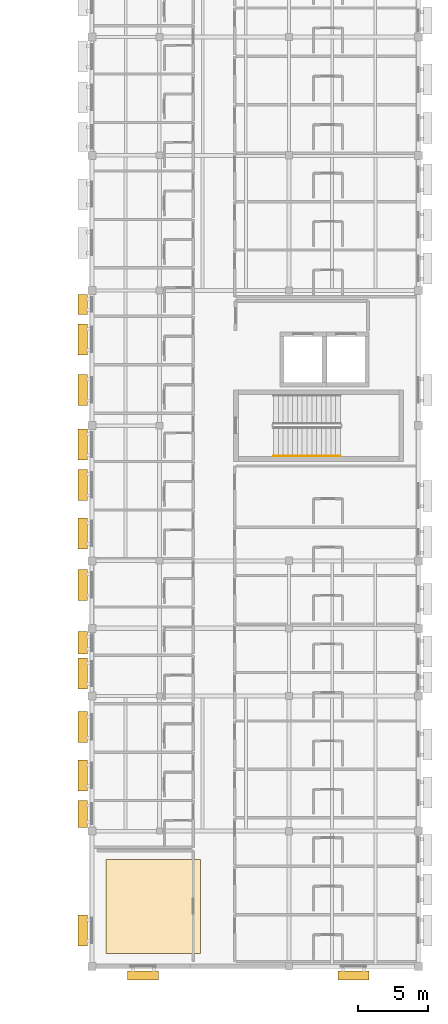
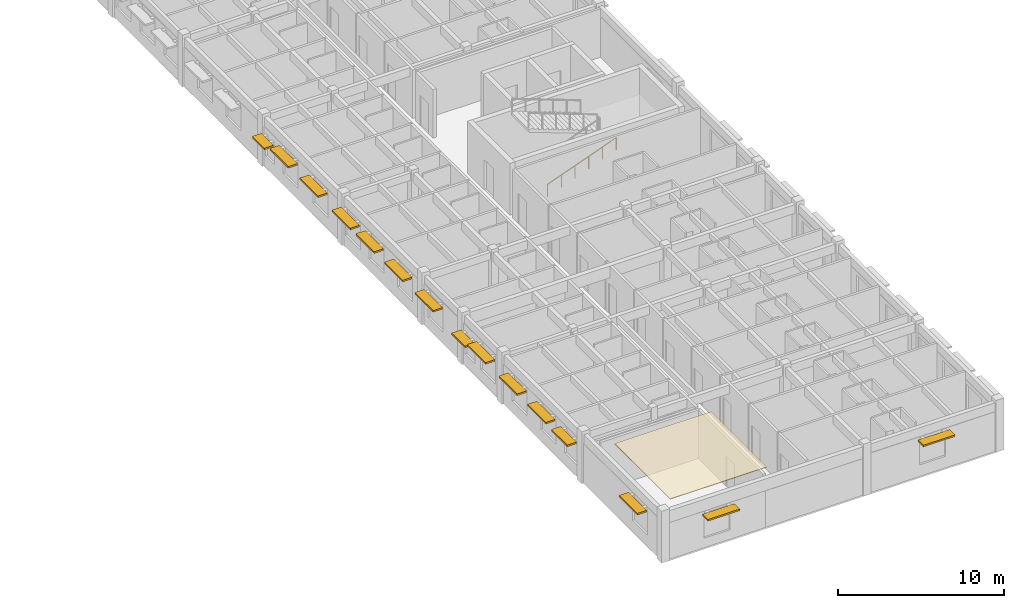
# One storey, part 26 of 31: 15 shading devices, 1 covering, 1 railing.
"""IFC4 building model written with IfcOpenShell, lengths in metres."""

import ifcopenshell
import ifcopenshell.guid

model = None  # the IFC model being written
_history = None  # IfcOwnerHistory: only IFC2X3 demands one
_inside = {}  # id of a spatial element -> (the spatial element, [elements in it])
_under = {}  # id of a project, library or spatial element -> (it, [spatial elements below it])
_declared = {}  # id of a project -> (the project, [libraries it declares])
_typed = {}  # id of a type object -> (the type object, [elements of that type])
_made_of = {}  # id of a material, layer set ... -> (it, [elements and type objects made of it])


def new_model(schema):
    """Start an empty IFC model of exactly this schema.

    Asked for "IFC4X3", IfcOpenShell would pick the latest addendum, in which some entities
    have other attributes; the version numbers below select the first issue.
    IFC2X3 requires an IfcOwnerHistory on every rooted entity: one is made here for all.
    """
    global model, _history
    if schema == "IFC4X3":
        model = ifcopenshell.file(schema_version=(4, 3, 0, 0))
    else:
        model = ifcopenshell.file(schema=schema)
    _inside.clear()
    _under.clear()
    _declared.clear()
    _typed.clear()
    _made_of.clear()
    _history = None
    if model.schema == "IFC2X3":
        org = make("IfcOrganization", Name="unknown")
        user = make(
            "IfcPersonAndOrganization",
            ThePerson=make("IfcPerson", FamilyName="unknown"),
            TheOrganization=org,
        )
        app = make(
            "IfcApplication",
            ApplicationDeveloper=org,
            Version="unknown",
            ApplicationFullName="unknown",
            ApplicationIdentifier="unknown",
        )
        _history = make(
            "IfcOwnerHistory",
            OwningUser=user,
            OwningApplication=app,
            ChangeAction="ADDED",
            CreationDate=0,
        )
    return model


def make(cls, **values):
    """One entity of the class cls with the attributes given. An attribute that is None is left unset."""
    return model.create_entity(
        cls, **{name: value for name, value in values.items() if value is not None}
    )


def rooted(cls, **values):
    """An entity with a GlobalId (a new one), such as an element, a storey or a relation."""
    return make(cls, GlobalId=ifcopenshell.guid.new(), OwnerHistory=_history, **values)


def si_unit(unit_type, name, prefix=None):
    """IfcSIUnit, for example si_unit("LENGTHUNIT", "METRE", prefix="MILLI")."""
    return make("IfcSIUnit", UnitType=unit_type, Prefix=prefix, Name=name)


def assignment(units):
    """IfcUnitAssignment: the units of a project."""
    return None if units is None else make("IfcUnitAssignment", Units=units)


def point(xyz):
    """IfcCartesianPoint."""
    return None if xyz is None else make("IfcCartesianPoint", Coordinates=xyz)


def direction(xyz):
    """IfcDirection."""
    return None if xyz is None else make("IfcDirection", DirectionRatios=xyz)


def frame(location, z_axis=None, x_axis=None):
    """IfcAxis2Placement3D, a coordinate frame: its origin and axes. An axis left out is left unset."""
    return make(
        "IfcAxis2Placement3D",
        Location=point(location),
        Axis=direction(z_axis),
        RefDirection=direction(x_axis),
    )


def frame_2d(location, x_axis=None):
    """IfcAxis2Placement2D, a coordinate frame in the plane: its origin and x axis."""
    return make(
        "IfcAxis2Placement2D", Location=point(location), RefDirection=direction(x_axis)
    )


def origin():
    """The frame at (0, 0, 0) with its axes left unset."""
    return frame((0.0, 0.0, 0.0))


def origin_2d():
    """The frame at (0, 0) in the plane with its x axis left unset."""
    return frame_2d((0.0, 0.0))


def place(relative_to, where):
    """IfcLocalPlacement: puts the frame where relative to a parent placement (None: the world)."""
    return make(
        "IfcLocalPlacement", PlacementRelTo=relative_to, RelativePlacement=where
    )


def context(
    kind, dimensions, precision=None, world=None, true_north=None, identifier=None
):
    """IfcGeometricRepresentationContext, for example the 3D "Model" context."""
    return make(
        "IfcGeometricRepresentationContext",
        ContextIdentifier=identifier,
        ContextType=kind,
        CoordinateSpaceDimension=dimensions,
        Precision=precision,
        WorldCoordinateSystem=world,
        TrueNorth=true_north,
    )


def subcontext(parent, identifier, kind, view, scale=None):
    """IfcGeometricRepresentationSubContext, for example "Body" below "Model"."""
    return make(
        "IfcGeometricRepresentationSubContext",
        ContextIdentifier=identifier,
        ContextType=kind,
        ParentContext=parent,
        TargetScale=scale,
        TargetView=view,
    )


def project(units=None, contexts=None):
    """IfcProject with its units and contexts."""
    return rooted(
        "IfcProject",
        Name="project",
        RepresentationContexts=contexts,
        UnitsInContext=assignment(units),
    )


def spatial(cls, under=None, at=None, **own):
    """A site, building, storey or space (cls), placed at a placement, below another one or the project."""
    s = rooted(cls, ObjectPlacement=at, **own)
    if under is not None:
        _under.setdefault(under.id(), (under, []))[1].append(s)
    return s


def polyline(points):
    """IfcPolyline through the points."""
    return make("IfcPolyline", Points=[point(p) for p in points])


def profile(cls, at=None, kind="AREA", **sizes):
    """A parametric profile (cls). Its sizes go by their IFC names, for example OverallWidth=200.0."""
    return make(cls, ProfileType=kind, Position=at, **sizes)


def rectangle(**sizes):
    """IfcRectangleProfileDef."""
    return profile("IfcRectangleProfileDef", **sizes)


def circle(**sizes):
    """IfcCircleProfileDef."""
    return profile("IfcCircleProfileDef", **sizes)


def outline(outer, holes=None, kind="AREA"):
    """IfcArbitraryClosedProfileDef: a profile drawn as a closed curve; with holes, ...WithVoids."""
    if holes is None:
        return make("IfcArbitraryClosedProfileDef", ProfileType=kind, OuterCurve=outer)
    return make(
        "IfcArbitraryProfileDefWithVoids",
        ProfileType=kind,
        OuterCurve=outer,
        InnerCurves=holes,
    )


def extrude(swept, where, along, depth):
    """IfcExtrudedAreaSolid: the profile swept, set in the frame where, extruded along a direction by depth."""
    return make(
        "IfcExtrudedAreaSolid",
        SweptArea=swept,
        Position=where,
        ExtrudedDirection=direction(along),
        Depth=depth,
    )


def shape(context_of_items, identifier, shape_type, items):
    """IfcShapeRepresentation: the items that make up one representation, for example the "Body"."""
    return make(
        "IfcShapeRepresentation",
        ContextOfItems=context_of_items,
        RepresentationIdentifier=identifier,
        RepresentationType=shape_type,
        Items=items,
    )


def material(Name=None, Category=None):
    """IfcMaterial."""
    return make("IfcMaterial", Name=Name, Category=Category)


def layer(
    of_material, thickness, ventilated=None, Name=None, Category=None, Priority=None
):
    """IfcMaterialLayer: one layer of a wall or slab, of a material (None: an air gap)."""
    return make(
        "IfcMaterialLayer",
        Material=of_material,
        LayerThickness=thickness,
        IsVentilated=ventilated,
        Name=Name,
        Category=Category,
        Priority=Priority,
    )


def layer_set(layers, Name=None):
    """IfcMaterialLayerSet."""
    return make("IfcMaterialLayerSet", MaterialLayers=layers, LayerSetName=Name)


def made_of(thing, what):
    """Note that an element or type object is made of a material, layer set ...; save() writes the relation."""
    if what is not None:
        _made_of.setdefault(what.id(), (what, []))[1].append(thing)
    return thing


def type_object(cls, material=None, **own):
    """A type object (cls), such as IfcWallType, which elements share."""
    return made_of(rooted(cls, **own), material)


def element(
    cls,
    number,
    at=None,
    inside=None,
    cuts=None,
    type_object=None,
    material=None,
    context=None,
    identifier="Body",
    shape_type=None,
    held_by="IfcProductDefinitionShape",
    body=None,
    shapes=None,
    **own,
):
    """One element of the class cls, such as IfcWall. Its Tag is "e" and its number.

    at: its placement. inside: the storey or other place that contains it. cuts: it is an
    opening in that element (IfcRelVoidsElement). A single representation is given by context,
    identifier, shape_type and body (its items); several are given by shapes. held_by: the class
    of the entity that holds the representations. save() writes the other relations.
    """
    e = rooted(cls, Tag="e%d" % number, ObjectPlacement=at, **own)
    if body is not None:
        shapes = [shape(context, identifier, shape_type, body)]
    if shapes is not None:
        e.Representation = make(held_by, Representations=shapes)
    if inside is not None:
        _inside.setdefault(inside.id(), (inside, []))[1].append(e)
    if cuts is not None:
        rooted(
            "IfcRelVoidsElement", RelatingBuildingElement=cuts, RelatedOpeningElement=e
        )
    if type_object is not None:
        _typed.setdefault(type_object.id(), (type_object, []))[1].append(e)
    return made_of(e, material)


def aggregate(whole, parts):
    """IfcRelAggregates: a whole, such as a stair, and the parts it consists of."""
    return rooted("IfcRelAggregates", RelatingObject=whole, RelatedObjects=parts)


def save(model, path):
    """Write the relations noted so far, then the file.

    IfcRelAggregates (storeys below a building ...), IfcRelContainedInSpatialStructure (elements
    in a storey), IfcRelDefinesByType, IfcRelAssociatesMaterial and IfcRelDeclares: one each for
    every whole, place, type object, material and project.
    """
    for whole, parts in _under.values():
        aggregate(whole, parts)
    for where, things in _inside.values():
        rooted(
            "IfcRelContainedInSpatialStructure",
            RelatedElements=things,
            RelatingStructure=where,
        )
    for kind, things in _typed.values():
        rooted("IfcRelDefinesByType", RelatedObjects=things, RelatingType=kind)
    for what, things in _made_of.values():
        rooted("IfcRelAssociatesMaterial", RelatedObjects=things, RelatingMaterial=what)
    for by, libraries in _declared.values():
        rooted("IfcRelDeclares", RelatingContext=by, RelatedDefinitions=libraries)
    model.write(path)


model = new_model("IFC4")

# Units and contexts
model_context = context("Model", 3, precision=1e-05, world=origin(), true_north=direction((0.0, 1.0)))
body_context = subcontext(model_context, "Body", "Model", "MODEL_VIEW")
ifc_project = project(units=[si_unit("LENGTHUNIT", "METRE"), si_unit("AREAUNIT", "SQUARE_METRE"), si_unit("VOLUMEUNIT", "CUBIC_METRE"), si_unit("PLANEANGLEUNIT", "RADIAN"), si_unit("MASSUNIT", "GRAM", prefix="KILO")], contexts=[model_context])

# Site, building, storey
site_placement = place(None, origin())
site = spatial("IfcSite", under=ifc_project, at=site_placement, CompositionType="ELEMENT")
building_placement = place(site_placement, origin())
building = spatial("IfcBuilding", under=site, at=building_placement, Name="Veldera Park Congress Hotel", CompositionType="ELEMENT")
storey_placement = place(building_placement, frame((0.0, 0.0, 20.0)))
storey = spatial("IfcBuildingStorey", under=building, at=storey_placement, Name="L04", CompositionType="ELEMENT", Elevation=20.0)

# Covering
ifc_material_1 = material(Name="Micro-Perforated Western Hemlock Acoustic Timber", Category="wood")
ifc_layer = layer(ifc_material_1, 0.044921875)
ifc_layer_set = layer_set([ifc_layer], Name="Micro-Perforated Western Hemlock Acoustic Timber")
covering_type = type_object("IfcCoveringType", Name="COV-CLG-TIM", PredefinedType="CEILING", material=ifc_layer_set)
covering_placement = place(storey_placement, frame((0.0, 0.0, 3.5048828125)))
element("IfcCovering", 1, at=covering_placement, inside=storey, type_object=covering_type, Name="Wellness Lounge Acoustic Ceiling", PredefinedType="CEILING", context=body_context, shape_type="SweptSolid", body=[
    extrude(outline(polyline([(61.800048828125, -46.5), (68.5, -46.5), (68.5, -39.800048828125), (61.800048828125, -39.800048828125), (61.800048828125, -46.5)])), origin(), (0.0, 0.0, 1.0), 0.045166015625),
])

# Railing
ifc_material_2 = material(Name="Steel ASTM A992 Gr.50", Category="steel")
railing_type = type_object("IfcRailingType", Name="HRL-920", PredefinedType="HANDRAIL", material=ifc_material_2)
railing_placement = place(storey_placement, frame((73.699951171875, -11.14990234375, 0.126708984375)))
element("IfcRailing", 2, at=railing_placement, inside=storey, type_object=railing_type, Name="L04 ST2 stair handrail 1", PredefinedType="HANDRAIL", context=body_context, shape_type="SweptSolid", body=[
    extrude(circle(Radius=0.02392578125, at=origin_2d()), frame((0.0, 0.0, 0.89599609375), z_axis=(0.937091363699, 0.0, 0.349084196263), x_axis=(0.0, 1.0, 0.0)), (0.0, 0.0, 1.0), 5.07958984375),
    extrude(circle(Radius=0.02099609375, at=origin_2d()), origin(), (0.0, 0.0, 1.0), 0.871826171875),
    extrude(circle(Radius=0.02099609375, at=origin_2d()), frame((0.951904296875, 0.0, 0.354736328125)), (0.0, 0.0, 1.0), 0.871826171875),
    extrude(circle(Radius=0.02099609375, at=origin_2d()), frame((1.904052734375, 0.0, 0.709228515625)), (0.0, 0.0, 1.0), 0.871826171875),
    extrude(circle(Radius=0.02099609375, at=origin_2d()), frame((2.85595703125, 0.0, 1.06396484375)), (0.0, 0.0, 1.0), 0.871826171875),
    extrude(circle(Radius=0.02099609375, at=origin_2d()), frame((3.80810546875, 0.0, 1.41845703125)), (0.0, 0.0, 1.0), 0.871826171875),
    extrude(circle(Radius=0.02099609375, at=origin_2d()), frame((4.760009765625, 0.0, 1.773193359375)), (0.0, 0.0, 1.0), 0.871826171875),
])

# Shading devices
ifc_material_3 = material(Name="Glulam GL28h (NDS 24F-V4)", Category="wood")
shading_device_type = type_object("IfcShadingDeviceType", Name="SHD-LVR300", PredefinedType="JALOUSIE", material=ifc_material_3)
for number, where, z_axis, x_axis, name in (
    (3, (64.445068359375, -48.044921875, 2.5048828125), (0.0, 0.0, 1.0), (1.0, 0.0, 0.0), "Glulam Solar Shade 142"),
    (4, (79.389892578125, -48.044921875, 2.719970703125), (0.0, 0.0, 1.0), (1.0, 0.0, 0.0), "Glulam Solar Shade 143"),
    (5, (60.155029296875, -6.4609375, 2.719970703125), (0.0, 0.0, 1.0), (0.0, -1.0, 0.0), "Glulam Solar Shade 156"),
    (6, (60.155029296875, -44.861083984375, 2.719970703125), (0.0, 0.0, 1.0), (0.0, -1.0, 0.0), "Glulam Solar Shade 157"),
):
    element("IfcShadingDevice", number, at=place(storey_placement, frame(where, z_axis=z_axis, x_axis=x_axis)), inside=storey, type_object=shading_device_type, Name=name, PredefinedType="JALOUSIE", context=body_context, shape_type="SweptSolid", body=[
        extrude(rectangle(XDim=2.199951171875, YDim=0.64990234375, at=origin_2d()), origin(), (0.0, 0.0, 1.0), 0.1201171875),
    ])
shading_device_1_placement = place(storey_placement, frame((60.155029296875, -36.575927734375, 2.619873046875), z_axis=(0.0, 0.0, 1.0), x_axis=(0.0, -1.0, 0.0)))
element("IfcShadingDevice", 7, at=shading_device_1_placement, inside=storey, type_object=shading_device_type, Name="Glulam Solar Shade 358", PredefinedType="JALOUSIE", context=body_context, shape_type="SweptSolid", body=[
    extrude(rectangle(XDim=1.89990234375, YDim=0.64990234375, at=origin_2d()), origin(), (0.0, 0.0, 1.0), 0.1201171875),
])
for number, where, z_axis, x_axis, name in (
    (8, (60.155029296875, -33.85009765625, 2.719970703125), (0.0, 0.0, 1.0), (0.0, -1.0, 0.0), "Glulam Solar Shade 359"),
    (9, (60.155029296875, -30.409912109375, 2.719970703125), (0.0, 0.0, 1.0), (0.0, -1.0, 0.0), "Glulam Solar Shade 360"),
    (10, (60.155029296875, -26.615966796875, 2.719970703125), (0.0, 0.0, 1.0), (0.0, -1.0, 0.0), "Glulam Solar Shade 361"),
):
    element("IfcShadingDevice", number, at=place(storey_placement, frame(where, z_axis=z_axis, x_axis=x_axis)), inside=storey, type_object=shading_device_type, Name=name, PredefinedType="JALOUSIE", context=body_context, shape_type="SweptSolid", body=[
        extrude(rectangle(XDim=2.199951171875, YDim=0.64990234375, at=origin_2d()), origin(), (0.0, 0.0, 1.0), 0.1201171875),
    ])
shading_device_2_placement = place(storey_placement, frame((60.155029296875, -24.43408203125, 2.419921875), z_axis=(0.0, 0.0, 1.0), x_axis=(0.0, -1.0, 0.0)))
element("IfcShadingDevice", 11, at=shading_device_2_placement, inside=storey, type_object=shading_device_type, Name="Glulam Solar Shade 362", PredefinedType="JALOUSIE", context=body_context, shape_type="SweptSolid", body=[
    extrude(rectangle(XDim=1.60009765625, YDim=0.64990234375, at=origin_2d()), origin(), (0.0, 0.0, 1.0), 0.1201171875),
])
for number, where, z_axis, x_axis, name in (
    (12, (60.155029296875, -20.31396484375, 2.719970703125), (0.0, 0.0, 1.0), (0.0, -1.0, 0.0), "Glulam Solar Shade 363"),
    (13, (60.155029296875, -16.64990234375, 2.719970703125), (0.0, 0.0, 1.0), (0.0, -1.0, 0.0), "Glulam Solar Shade 364"),
    (14, (60.155029296875, -13.2099609375, 2.719970703125), (0.0, 0.0, 1.0), (0.0, -1.0, 0.0), "Glulam Solar Shade 365"),
    (15, (60.155029296875, -10.35400390625, 2.719970703125), (0.0, 0.0, 1.0), (0.0, -1.0, 0.0), "Glulam Solar Shade 366"),
    (16, (60.155029296875, -2.889892578125, 2.719970703125), (0.0, 0.0, 1.0), (0.0, -1.0, 0.0), "Glulam Solar Shade 367"),
):
    element("IfcShadingDevice", number, at=place(storey_placement, frame(where, z_axis=z_axis, x_axis=x_axis)), inside=storey, type_object=shading_device_type, Name=name, PredefinedType="JALOUSIE", context=body_context, shape_type="SweptSolid", body=[
        extrude(rectangle(XDim=2.199951171875, YDim=0.64990234375, at=origin_2d()), origin(), (0.0, 0.0, 1.0), 0.1201171875),
    ])
shading_device_3_placement = place(storey_placement, frame((60.155029296875, -0.39404296875, 2.31982421875), z_axis=(0.0, 0.0, 1.0), x_axis=(0.0, -1.0, 0.0)))
element("IfcShadingDevice", 17, at=shading_device_3_placement, inside=storey, type_object=shading_device_type, Name="Glulam Solar Shade 368", PredefinedType="JALOUSIE", context=body_context, shape_type="SweptSolid", body=[
    extrude(rectangle(XDim=1.449951171875, YDim=0.64990234375, at=origin_2d()), origin(), (0.0, 0.0, 1.0), 0.1201171875),
])

save(model, "model.ifc")
